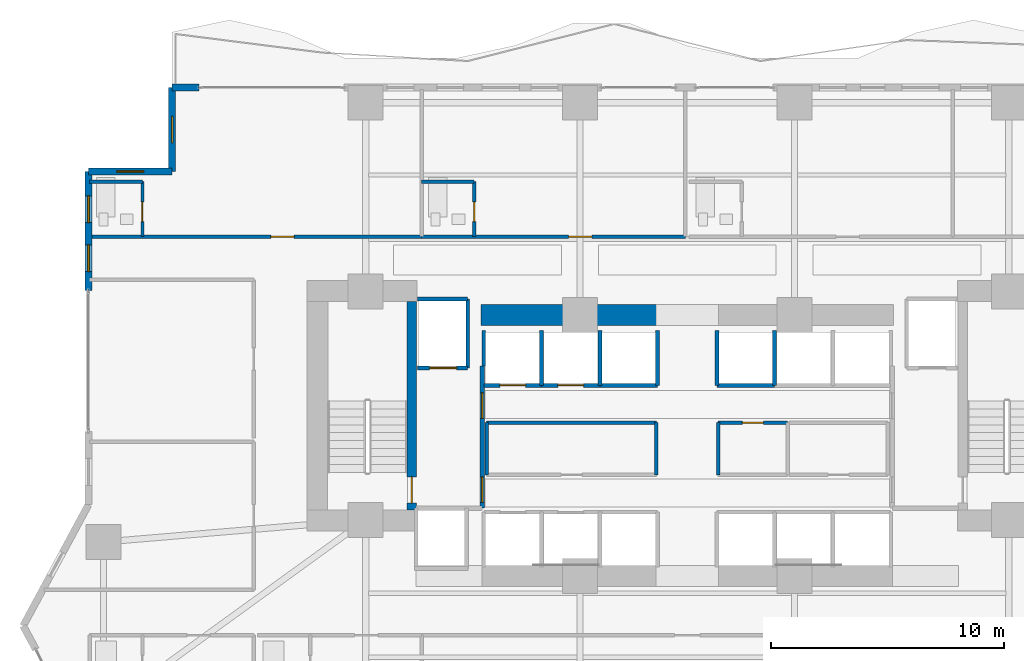
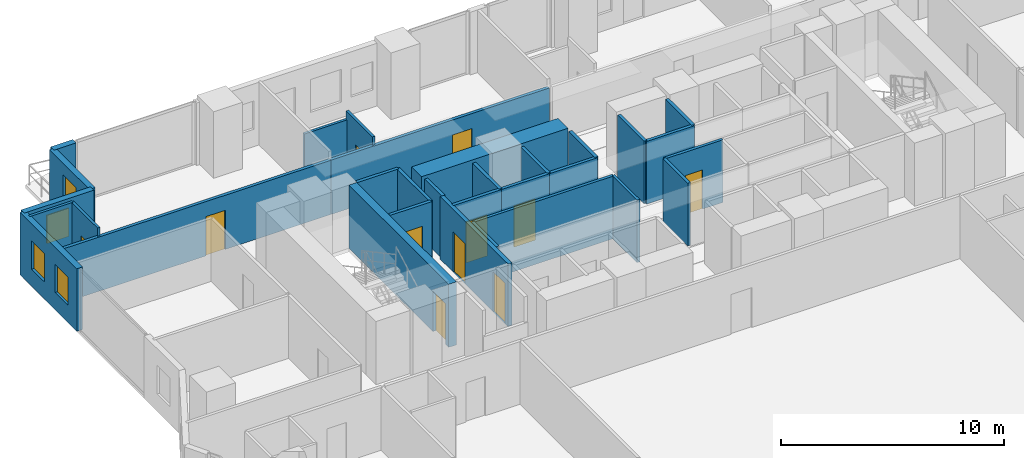
# One storey, part 21 of 28: 31 walls, 11 doors, 4 windows, 15 openings.
"""IFC4 building model written with IfcOpenShell, lengths in metres."""

from ifc_helpers import new_model, si_unit, direction, frame, frame_2d, origin, place, context, subcontext, project, spatial, rectangle, extrude, material, layer, layer_set, type_object, element, fill, save


model = new_model("IFC4")

# Units and contexts
model_context = context("Model", 3, precision=1e-05, world=origin(), true_north=direction((0.0, 1.0)))
body_context = subcontext(model_context, "Body", "Model", "MODEL_VIEW")
ifc_project = project(units=[si_unit("LENGTHUNIT", "METRE"), si_unit("AREAUNIT", "SQUARE_METRE"), si_unit("VOLUMEUNIT", "CUBIC_METRE"), si_unit("PLANEANGLEUNIT", "RADIAN"), si_unit("MASSUNIT", "GRAM", prefix="KILO")], contexts=[model_context])

# Site, building, storey
site_placement = place(None, origin())
site = spatial("IfcSite", under=ifc_project, at=site_placement, CompositionType="ELEMENT")
building_placement = place(site_placement, origin())
building = spatial("IfcBuilding", under=site, at=building_placement, Name="Zuhayl Quay Hotel", CompositionType="ELEMENT")
storey_placement = place(building_placement, frame((0.0, 0.0, 75.050048828125)))
storey = spatial("IfcBuildingStorey", under=building, at=storey_placement, Name="L18", CompositionType="ELEMENT", Elevation=75.050048828125)

# Wall
ifc_material_1 = material(Name="Concrete C70/85", Category="concrete")
ifc_layer_1 = layer(ifc_material_1, 0.89990234375, Name="Concrete C70/85", Category="concrete")
ifc_layer_set_1 = layer_set([ifc_layer_1], Name="Concrete C70/85")
wall_type_1 = type_object("IfcWallType", Name="WL_CORE_900", PredefinedType="SHEAR", material=ifc_layer_set_1)
wall_1_placement = place(storey_placement, frame((-8.85009765625, 13.35009765625, 0.0), z_axis=(0.0, 0.0, 1.0), x_axis=(1.0, 0.0, 0.0)))
element("IfcWall", 1, at=wall_1_placement, inside=storey, type_object=wall_type_1, Name="L18 Core Shear Wall CW_NC_W", PredefinedType="SHEAR", context=body_context, shape_type="SweptSolid", body=[
    extrude(rectangle(XDim=7.60009765625, YDim=0.89990234375, at=frame_2d((3.800048828125, 0.0))), origin(), (0.0, 0.0, 1.0), 3.429931640625),
])

# Wall, openings, windows
ifc_material_2 = material(Name="Precast concrete C45/55", Category="concrete")
ifc_layer_2 = layer(ifc_material_2, 0.300048828125, Name="Precast concrete C45/55", Category="concrete")
ifc_layer_set_2 = layer_set([ifc_layer_2], Name="Precast concrete C45/55")
wall_type_2 = type_object("IfcWallType", Name="WL_EXT_300", PredefinedType="STANDARD", material=ifc_layer_set_2)
wall_2_placement = place(storey_placement, frame((-25.699951171875, 14.39990234375, 0.0), z_axis=(0.0, 0.0, 1.0), x_axis=(0.0, 1.0, 0.0)))
wall_2 = element("IfcWall", 2, at=wall_2_placement, inside=storey, type_object=wall_type_2, Name="L18 Exterior Precast Wall ENV_L18_E05_EW2", PredefinedType="STANDARD", context=body_context, shape_type="SweptSolid", body=[
    extrude(rectangle(XDim=5.10009765625, YDim=0.300048828125, at=frame_2d((2.550048828125, 0.0))), origin(), (0.0, 0.0, 1.0), 3.429931640625),
])
opening_1_placement = place(wall_2_placement, frame((0.800048828125, 0.0, 0.949951171875)))
opening_1 = element("IfcOpeningElement", 3, at=opening_1_placement, cuts=wall_2, Name="Opening W01N", PredefinedType="OPENING", context=body_context, shape_type="SweptSolid", body=[
    extrude(rectangle(XDim=1.14990234375, YDim=1.550048828125, at=frame_2d((0.574951171875, 0.77490234375))), frame((0.0, 0.159912109375, 0.0), z_axis=(0.0, -1.0, 0.0), x_axis=(1.0, 0.0, 0.0)), (0.0, 0.0, 1.0), 0.320068359375),
])
opening_2_placement = place(wall_2_placement, frame((2.905029296875, 0.0, 0.949951171875)))
opening_2 = element("IfcOpeningElement", 4, at=opening_2_placement, cuts=wall_2, Name="Opening W01N", PredefinedType="OPENING", context=body_context, shape_type="SweptSolid", body=[
    extrude(rectangle(XDim=1.14990234375, YDim=1.550048828125, at=frame_2d((0.574951171875, 0.77490234375))), frame((0.0, 0.159912109375, 0.0), z_axis=(0.0, -1.0, 0.0), x_axis=(1.0, 0.0, 0.0)), (0.0, 0.0, 1.0), 0.320068359375),
])
ifc_material_3 = material(Name="Dark Ceramic-Fritted Solar Glass", Category="glass")
window_type = type_object("IfcWindowType", Name="WN_NOTCH_1350", PartitioningType="SINGLE_PANEL", PredefinedType="WINDOW", material=ifc_material_3)
window_1_placement = place(opening_1_placement, origin())
window_1 = element("IfcWindow", 5, at=window_1_placement, inside=storey, type_object=window_type, Name="L18 Operable Facade Window 2-1", OverallHeight=1.550048828125, OverallWidth=1.14990234375, PartitioningType="SINGLE_PANEL", PredefinedType="WINDOW", context=body_context, shape_type="SweptSolid", body=[
    extrude(rectangle(XDim=1.14990234375, YDim=1.550048828125, at=frame_2d((0.574951171875, 0.77490234375))), frame((0.0, 0.030029296875, 0.0), z_axis=(0.0, -1.0, 0.0), x_axis=(1.0, 0.0, 0.0)), (0.0, 0.0, 1.0), 0.06005859375),
])
fill(opening_1, window_1)
window_2_placement = place(opening_2_placement, origin())
window_2 = element("IfcWindow", 6, at=window_2_placement, inside=storey, type_object=window_type, Name="L18 Operable Facade Window 2-2", OverallHeight=1.550048828125, OverallWidth=1.14990234375, PartitioningType="SINGLE_PANEL", PredefinedType="WINDOW", context=body_context, shape_type="SweptSolid", body=[
    extrude(rectangle(XDim=1.14990234375, YDim=1.550048828125, at=frame_2d((0.574951171875, 0.77490234375))), frame((0.0, 0.030029296875, 0.0), z_axis=(0.0, -1.0, 0.0), x_axis=(1.0, 0.0, 0.0)), (0.0, 0.0, 1.0), 0.06005859375),
])
fill(opening_2, window_2)

# Wall, opening, window
wall_3_placement = place(storey_placement, frame((-25.699951171875, 19.5, 0.0), z_axis=(0.0, 0.0, 1.0), x_axis=(1.0, 0.0, 0.0)))
wall_3 = element("IfcWall", 7, at=wall_3_placement, inside=storey, type_object=wall_type_2, Name="L18 Exterior Precast Wall ENV_L18_EW06", PredefinedType="STANDARD", context=body_context, shape_type="SweptSolid", body=[
    extrude(rectangle(XDim=3.599853515625, YDim=0.300048828125, at=frame_2d((1.7998046875, 0.0))), origin(), (0.0, 0.0, 1.0), 3.429931640625),
])
opening_3_placement = place(wall_3_placement, frame((1.22509765625, 0.0, 1.25)))
opening_3 = element("IfcOpeningElement", 8, at=opening_3_placement, cuts=wall_3, Name="Opening W01N", PredefinedType="OPENING", context=body_context, shape_type="SweptSolid", body=[
    extrude(rectangle(XDim=1.14990234375, YDim=1.550048828125, at=frame_2d((0.574951171875, 0.77490234375))), frame((0.0, 0.159912109375, 0.0), z_axis=(0.0, -1.0, 0.0), x_axis=(1.0, 0.0, 0.0)), (0.0, 0.0, 1.0), 0.320068359375),
])
window_3_placement = place(opening_3_placement, origin())
window_3 = element("IfcWindow", 9, at=window_3_placement, inside=storey, type_object=window_type, Name="L18 Corner Notch Window 6", OverallHeight=1.550048828125, OverallWidth=1.14990234375, PartitioningType="SINGLE_PANEL", PredefinedType="WINDOW", context=body_context, shape_type="SweptSolid", body=[
    extrude(rectangle(XDim=1.14990234375, YDim=1.550048828125, at=frame_2d((0.574951171875, 0.77490234375))), frame((0.0, 0.030029296875, 0.0), z_axis=(0.0, -1.0, 0.0), x_axis=(1.0, 0.0, 0.0)), (0.0, 0.0, 1.0), 0.06005859375),
])
fill(opening_3, window_3)

wall_4_placement = place(storey_placement, frame((-22.10009765625, 19.5, 0.0), z_axis=(0.0, 0.0, 1.0), x_axis=(0.0, 1.0, 0.0)))
wall_4 = element("IfcWall", 10, at=wall_4_placement, inside=storey, type_object=wall_type_2, Name="L18 Exterior Precast Wall ENV_L18_EW07", PredefinedType="STANDARD", context=body_context, shape_type="SweptSolid", body=[
    extrude(rectangle(XDim=3.60009765625, YDim=0.300048828125, at=frame_2d((1.800048828125, 0.0))), origin(), (0.0, 0.0, 1.0), 3.429931640625),
])
opening_4_placement = place(wall_4_placement, frame((1.22509765625, 0.0, 1.25)))
opening_4 = element("IfcOpeningElement", 11, at=opening_4_placement, cuts=wall_4, Name="Opening W01N", PredefinedType="OPENING", context=body_context, shape_type="SweptSolid", body=[
    extrude(rectangle(XDim=1.14990234375, YDim=1.550048828125, at=frame_2d((0.574951171875, 0.77490234375))), frame((0.0, 0.159912109375, 0.0), z_axis=(0.0, -1.0, 0.0), x_axis=(1.0, 0.0, 0.0)), (0.0, 0.0, 1.0), 0.320068359375),
])
window_4_placement = place(opening_4_placement, origin())
window_4 = element("IfcWindow", 12, at=window_4_placement, inside=storey, type_object=window_type, Name="L18 Corner Notch Window 7", OverallHeight=1.550048828125, OverallWidth=1.14990234375, PartitioningType="SINGLE_PANEL", PredefinedType="WINDOW", context=body_context, shape_type="SweptSolid", body=[
    extrude(rectangle(XDim=1.14990234375, YDim=1.550048828125, at=frame_2d((0.574951171875, 0.77490234375))), frame((0.0, 0.030029296875, 0.0), z_axis=(0.0, -1.0, 0.0), x_axis=(1.0, 0.0, 0.0)), (0.0, 0.0, 1.0), 0.06005859375),
])
fill(opening_4, window_4)

# Wall
wall_5_placement = place(storey_placement, frame((-22.10009765625, 23.10009765625, 0.0), z_axis=(0.0, 0.0, 1.0), x_axis=(1.0, 0.0, 0.0)))
element("IfcWall", 13, at=wall_5_placement, inside=storey, type_object=wall_type_2, Name="L18 Exterior Precast Wall ENV_L18_N_EW1", PredefinedType="STANDARD", context=body_context, shape_type="SweptSolid", body=[
    extrude(rectangle(XDim=1.150146484375, YDim=0.300048828125, at=frame_2d((0.5751953125, 0.0))), origin(), (0.0, 0.0, 1.0), 3.429931640625),
])

# Wall, opening, door
ifc_material_4 = material(Name="Acoustic Gypsum Partition STC-58")
ifc_layer_3 = layer(ifc_material_4, 0.14990234375, Name="Acoustic Gypsum Partition STC-58")
ifc_layer_set_3 = layer_set([ifc_layer_3], Name="Acoustic Gypsum Partition STC-58")
wall_type_3 = type_object("IfcWallType", Name="WL_PART_150", PredefinedType="PARTITIONING", material=ifc_layer_set_3)
wall_6_placement = place(storey_placement, frame((1.320068359375, 8.719970703125, 0.0), z_axis=(0.0, 0.0, 1.0), x_axis=(1.0, 0.0, 0.0)))
wall_6 = element("IfcWall", 14, at=wall_6_placement, inside=storey, type_object=wall_type_3, Name="L18 Partition IW_L18_CORE_IT_N", PredefinedType="PARTITIONING", context=body_context, shape_type="SweptSolid", body=[
    extrude(rectangle(XDim=2.989990234375, YDim=0.14990234375, at=frame_2d((1.4951171875, 0.0))), origin(), (0.0, 0.0, 1.0), 3.429931640625),
])
opening_5_placement = place(wall_6_placement, frame((1.044921875, 0.0, 0.0)))
opening_5 = element("IfcOpeningElement", 15, at=opening_5_placement, cuts=wall_6, Name="Opening D06", PredefinedType="OPENING", context=body_context, shape_type="SweptSolid", body=[
    extrude(rectangle(XDim=0.89990234375, YDim=2.14990234375, at=frame_2d((0.449951171875, 1.074951171875))), frame((0.0, 0.0849609375, 0.0), z_axis=(0.0, -1.0, 0.0), x_axis=(1.0, 0.0, 0.0)), (0.0, 0.0, 1.0), 0.169921875),
])
ifc_material_5 = material(Name="Steel ASTM A992 Grade 50", Category="steel")
door_type_1 = type_object("IfcDoorType", Name="DR_INT_900", OperationType="NOTDEFINED", PredefinedType="DOOR", material=ifc_material_5)
door_1_placement = place(opening_5_placement, origin())
door_1 = element("IfcDoor", 16, at=door_1_placement, inside=storey, type_object=door_type_1, Name="L18 Telecom Closet Door", OperationType="SINGLE_SWING_RIGHT", OverallHeight=2.14990234375, OverallWidth=0.89990234375, PredefinedType="DOOR", context=body_context, shape_type="SweptSolid", body=[
    extrude(rectangle(XDim=0.89990234375, YDim=2.14990234375, at=frame_2d((0.449951171875, 1.074951171875))), frame((0.0, 0.02490234375, 0.0), z_axis=(0.0, -1.0, 0.0), x_axis=(1.0, 0.0, 0.0)), (0.0, 0.0, 1.0), 0.050048828125),
])
fill(opening_5, door_1)

# Walls
wall_7_placement = place(storey_placement, frame((-8.610107421875, 8.719970703125, 0.0), z_axis=(0.0, 0.0, 1.0), x_axis=(1.0, 0.0, 0.0)))
element("IfcWall", 17, at=wall_7_placement, inside=storey, type_object=wall_type_3, Name="L18 Partition IW_L18_CORE_EL_N", PredefinedType="PARTITIONING", context=body_context, shape_type="SweptSolid", body=[
    extrude(rectangle(XDim=7.2900390625, YDim=0.14990234375, at=frame_2d((3.64501953125, 0.0))), origin(), (0.0, 0.0, 1.0), 3.429931640625),
])
for number, where, z_axis, x_axis, name in (
    (18, (-8.610107421875, 6.47998046875, 0.0), (0.0, 0.0, 1.0), (0.0, 1.0, 0.0), "L18 Partition IW_L18_CORE_EL_W"),
    (19, (-1.320068359375, 6.47998046875, 0.0), (0.0, 0.0, 1.0), (0.0, 1.0, 0.0), "L18 Partition IW_L18_CORE_EL_E"),
    (20, (1.320068359375, 6.47998046875, 0.0), (0.0, 0.0, 1.0), (0.0, 1.0, 0.0), "L18 Partition IW_L18_CORE_IT_W"),
):
    element("IfcWall", number, at=place(storey_placement, frame(where, z_axis=z_axis, x_axis=x_axis)), inside=storey, type_object=wall_type_3, Name=name, PredefinedType="PARTITIONING", context=body_context, shape_type="SweptSolid", body=[
        extrude(rectangle(XDim=2.239990234375, YDim=0.14990234375, at=frame_2d((1.1201171875, 0.0))), origin(), (0.0, 0.0, 1.0), 3.429931640625),
    ])

# Wall, opening, door
ifc_layer_4 = layer(ifc_material_4, 0.159912109375, Name="Acoustic Gypsum Partition STC-58")
ifc_layer_set_4 = layer_set([ifc_layer_4], Name="Acoustic Gypsum Partition STC-58")
wall_type_4 = type_object("IfcWallType", Name="WL_PART_CORR_160", PredefinedType="PARTITIONING", material=ifc_layer_set_4)
wall_8_placement = place(storey_placement, frame((-25.639892578125, 16.699951171875, 0.0), z_axis=(0.0, 0.0, 1.0), x_axis=(1.0, 0.0, 0.0)))
wall_8 = element("IfcWall", 21, at=wall_8_placement, inside=storey, type_object=wall_type_4, Name="L18 Partition IW_L18_NU01_COR", PredefinedType="PARTITIONING", context=body_context, shape_type="SweptSolid", body=[
    extrude(rectangle(XDim=14.239990234375, YDim=0.159912109375, at=frame_2d((7.1201171875, 0.0))), origin(), (0.0, 0.0, 1.0), 2.972900390625),
])
opening_6_placement = place(wall_8_placement, frame((7.77001953125, 0.0, 0.0)))
opening_6 = element("IfcOpeningElement", 22, at=opening_6_placement, cuts=wall_8, Name="Opening D03L", PredefinedType="OPENING", context=body_context, shape_type="SweptSolid", body=[
    extrude(rectangle(XDim=1.0, YDim=2.14990234375, at=frame_2d((0.5, 1.074951171875))), frame((0.0, 0.08984375, 0.0), z_axis=(0.0, -1.0, 0.0), x_axis=(1.0, 0.0, 0.0)), (0.0, 0.0, 1.0), 0.179931640625),
])
ifc_material_6 = material(Name="Solid Walnut Acoustic Fire Door")
door_type_2 = type_object("IfcDoorType", Name="DR_SUITE_1000", OperationType="NOTDEFINED", PredefinedType="DOOR", material=ifc_material_6)
door_2_placement = place(opening_6_placement, origin())
door_2 = element("IfcDoor", 23, at=door_2_placement, inside=storey, type_object=door_type_2, Name="L18 Deluxe Gulf Guest Room L18-01 Entrance Door", OperationType="SINGLE_SWING_LEFT", OverallHeight=2.14990234375, OverallWidth=1.0, PredefinedType="DOOR", context=body_context, shape_type="SweptSolid", body=[
    extrude(rectangle(XDim=1.0, YDim=2.14990234375, at=frame_2d((0.5, 1.074951171875))), frame((0.0, 0.02490234375, 0.0), z_axis=(0.0, -1.0, 0.0), x_axis=(1.0, 0.0, 0.0)), (0.0, 0.0, 1.0), 0.050048828125),
])
fill(opening_6, door_2)

wall_9_placement = place(storey_placement, frame((-11.39990234375, 16.699951171875, 0.0), z_axis=(0.0, 0.0, 1.0), x_axis=(1.0, 0.0, 0.0)))
wall_9 = element("IfcWall", 24, at=wall_9_placement, inside=storey, type_object=wall_type_4, Name="L18 Partition IW_L18_NU02A_COR", PredefinedType="PARTITIONING", context=body_context, shape_type="SweptSolid", body=[
    extrude(rectangle(XDim=11.31982421875, YDim=0.159912109375, at=frame_2d((5.659912109375, 0.0))), origin(), (0.0, 0.0, 1.0), 2.972900390625),
])
opening_7_placement = place(wall_9_placement, frame((6.31005859375, 0.0, 0.0)))
opening_7 = element("IfcOpeningElement", 25, at=opening_7_placement, cuts=wall_9, Name="Opening D03L", PredefinedType="OPENING", context=body_context, shape_type="SweptSolid", body=[
    extrude(rectangle(XDim=1.0, YDim=2.14990234375, at=frame_2d((0.5, 1.074951171875))), frame((0.0, 0.08984375, 0.0), z_axis=(0.0, -1.0, 0.0), x_axis=(1.0, 0.0, 0.0)), (0.0, 0.0, 1.0), 0.179931640625),
])
door_3_placement = place(opening_7_placement, origin())
door_3 = element("IfcDoor", 26, at=door_3_placement, inside=storey, type_object=door_type_2, Name="L18 Deluxe Gulf Guest Room L18-02A Entrance Door", OperationType="SINGLE_SWING_LEFT", OverallHeight=2.14990234375, OverallWidth=1.0, PredefinedType="DOOR", context=body_context, shape_type="SweptSolid", body=[
    extrude(rectangle(XDim=1.0, YDim=2.14990234375, at=frame_2d((0.5, 1.074951171875))), frame((0.0, 0.02490234375, 0.0), z_axis=(0.0, -1.0, 0.0), x_axis=(1.0, 0.0, 0.0)), (0.0, 0.0, 1.0), 0.050048828125),
])
fill(opening_7, door_3)

ifc_material_7 = material(Name="Moisture-Resistant Sanitarychase Gypsum")
ifc_layer_5 = layer(ifc_material_7, 0.135009765625, Name="Moisture-Resistant Sanitarychase Gypsum")
ifc_layer_set_5 = layer_set([ifc_layer_5], Name="Moisture-Resistant Sanitarychase Gypsum")
wall_type_5 = type_object("IfcWallType", Name="WL_PART_PLUMB_150", PredefinedType="PLUMBINGWALL", material=ifc_layer_set_5)
wall_10_placement = place(storey_placement, frame((-23.3798828125, 16.699951171875, 0.0), z_axis=(0.0, 0.0, 1.0), x_axis=(0.0, 1.0, 0.0)))
wall_10 = element("IfcWall", 27, at=wall_10_placement, inside=storey, type_object=wall_type_5, Name="L18 Partition IW_L18_NU01_BE", PredefinedType="PLUMBINGWALL", context=body_context, shape_type="SweptSolid", body=[
    extrude(rectangle(XDim=2.360107421875, YDim=0.135009765625, at=frame_2d((1.18017578125, 0.0))), origin(), (0.0, 0.0, 1.0), 3.429931640625),
])
opening_8_placement = place(wall_10_placement, frame((0.64990234375, 0.0, 0.0)))
opening_8 = element("IfcOpeningElement", 28, at=opening_8_placement, cuts=wall_10, Name="Opening D04", PredefinedType="OPENING", context=body_context, shape_type="SweptSolid", body=[
    extrude(rectangle(XDim=0.85009765625, YDim=2.10009765625, at=frame_2d((0.425048828125, 1.050048828125))), frame((0.0, 0.077392578125, 0.0), z_axis=(0.0, -1.0, 0.0), x_axis=(1.0, 0.0, 0.0)), (0.0, 0.0, 1.0), 0.155029296875),
])
ifc_material_8 = material(Name="Moisture-Resistant Walnut Veneer")
door_type_3 = type_object("IfcDoorType", Name="DR_BATH_850", OperationType="NOTDEFINED", PredefinedType="DOOR", material=ifc_material_8)
door_4_placement = place(opening_8_placement, origin())
door_4 = element("IfcDoor", 29, at=door_4_placement, inside=storey, type_object=door_type_3, Name="L18 Deluxe Gulf Guest Room L18-01 En-Suite Door", OperationType="SINGLE_SWING_RIGHT", OverallHeight=2.10009765625, OverallWidth=0.85009765625, PredefinedType="DOOR", context=body_context, shape_type="SweptSolid", body=[
    extrude(rectangle(XDim=0.85009765625, YDim=2.10009765625, at=frame_2d((0.425048828125, 1.050048828125))), frame((0.0, 0.02490234375, 0.0), z_axis=(0.0, -1.0, 0.0), x_axis=(1.0, 0.0, 0.0)), (0.0, 0.0, 1.0), 0.050048828125),
])
fill(opening_8, door_4)

wall_11_placement = place(storey_placement, frame((-9.139892578125, 16.699951171875, 0.0), z_axis=(0.0, 0.0, 1.0), x_axis=(0.0, 1.0, 0.0)))
wall_11 = element("IfcWall", 30, at=wall_11_placement, inside=storey, type_object=wall_type_5, Name="L18 Partition IW_L18_NU02A_BE", PredefinedType="PLUMBINGWALL", context=body_context, shape_type="SweptSolid", body=[
    extrude(rectangle(XDim=2.360107421875, YDim=0.135009765625, at=frame_2d((1.18017578125, 0.0))), origin(), (0.0, 0.0, 1.0), 3.429931640625),
])
opening_9_placement = place(wall_11_placement, frame((0.64990234375, 0.0, 0.0)))
opening_9 = element("IfcOpeningElement", 31, at=opening_9_placement, cuts=wall_11, Name="Opening D04", PredefinedType="OPENING", context=body_context, shape_type="SweptSolid", body=[
    extrude(rectangle(XDim=0.85009765625, YDim=2.10009765625, at=frame_2d((0.425048828125, 1.050048828125))), frame((0.0, 0.077392578125, 0.0), z_axis=(0.0, -1.0, 0.0), x_axis=(1.0, 0.0, 0.0)), (0.0, 0.0, 1.0), 0.155029296875),
])
door_5_placement = place(opening_9_placement, origin())
door_5 = element("IfcDoor", 32, at=door_5_placement, inside=storey, type_object=door_type_3, Name="L18 Deluxe Gulf Guest Room L18-02A En-Suite Door", OperationType="SINGLE_SWING_RIGHT", OverallHeight=2.10009765625, OverallWidth=0.85009765625, PredefinedType="DOOR", context=body_context, shape_type="SweptSolid", body=[
    extrude(rectangle(XDim=0.85009765625, YDim=2.10009765625, at=frame_2d((0.425048828125, 1.050048828125))), frame((0.0, 0.02490234375, 0.0), z_axis=(0.0, -1.0, 0.0), x_axis=(1.0, 0.0, 0.0)), (0.0, 0.0, 1.0), 0.050048828125),
])
fill(opening_9, door_5)

# Walls
wall_12_placement = place(storey_placement, frame((-25.639892578125, 19.06005859375, 0.0), z_axis=(0.0, 0.0, 1.0), x_axis=(1.0, 0.0, 0.0)))
element("IfcWall", 33, at=wall_12_placement, inside=storey, type_object=wall_type_5, Name="L18 Partition IW_L18_NU01_BN", PredefinedType="PLUMBINGWALL", context=body_context, shape_type="SweptSolid", body=[
    extrude(rectangle(XDim=2.260009765625, YDim=0.135009765625, at=frame_2d((1.1298828125, 0.0))), origin(), (0.0, 0.0, 1.0), 3.429931640625),
])
wall_13_placement = place(storey_placement, frame((-11.39990234375, 19.06005859375, 0.0), z_axis=(0.0, 0.0, 1.0), x_axis=(1.0, 0.0, 0.0)))
element("IfcWall", 34, at=wall_13_placement, inside=storey, type_object=wall_type_5, Name="L18 Partition IW_L18_NU02A_BN", PredefinedType="PLUMBINGWALL", context=body_context, shape_type="SweptSolid", body=[
    extrude(rectangle(XDim=2.260009765625, YDim=0.135009765625, at=frame_2d((1.1298828125, 0.0))), origin(), (0.0, 0.0, 1.0), 2.972900390625),
])

# Wall, opening, door
ifc_material_9 = material(Name="Gypsum Fireboard Assembly EI-90")
ifc_layer_6 = layer(ifc_material_9, 0.1650390625, Name="Gypsum Fireboard Assembly EI-90")
ifc_layer_set_6 = layer_set([ifc_layer_6], Name="Gypsum Fireboard Assembly EI-90")
wall_type_6 = type_object("IfcWallType", Name="WL_PART_SHAFT_160", PredefinedType="PARTITIONING", material=ifc_layer_set_6)
wall_14_placement = place(storey_placement, frame((-11.580078125, 11.070068359375, 0.0), z_axis=(0.0, 0.0, 1.0), x_axis=(1.0, 0.0, 0.0)))
wall_14 = element("IfcWall", 35, at=wall_14_placement, inside=storey, type_object=wall_type_6, Name="L18 Partition IW_L18_SH_FL1_F", PredefinedType="PARTITIONING", context=body_context, shape_type="SweptSolid", body=[
    extrude(rectangle(XDim=2.16015625, YDim=0.1650390625, at=frame_2d((1.080078125, 0.0))), origin(), (0.0, 0.0, 1.0), 3.429931640625),
])
opening_10_placement = place(wall_14_placement, frame((0.530029296875, 0.0, 0.0)))
opening_10 = element("IfcOpeningElement", 36, at=opening_10_placement, cuts=wall_14, Name="Opening LD2", PredefinedType="OPENING", context=body_context, shape_type="SweptSolid", body=[
    extrude(rectangle(XDim=1.14990234375, YDim=2.25, at=frame_2d((0.574951171875, 1.125))), frame((0.0, 0.092529296875, 0.0), z_axis=(0.0, -1.0, 0.0), x_axis=(1.0, 0.0, 0.0)), (0.0, 0.0, 1.0), 0.18505859375),
])
ifc_material_10 = material(Name="Brushed Stainless Steel", Category="steel")
door_type_4 = type_object("IfcDoorType", Name="DR_LIFT_FF_1100", OperationType="SLIDING_TO_LEFT", PredefinedType="DOOR", material=ifc_material_10)
door_6_placement = place(opening_10_placement, origin())
door_6 = element("IfcDoor", 37, at=door_6_placement, inside=storey, type_object=door_type_4, Name="L18 Lift FL1 Sliding Landing Door", OperationType="SLIDING_TO_LEFT", OverallHeight=2.25, OverallWidth=1.14990234375, PredefinedType="DOOR", context=body_context, shape_type="SweptSolid", body=[
    extrude(rectangle(XDim=1.14990234375, YDim=2.25, at=frame_2d((0.574951171875, 1.125))), frame((0.0, 0.02490234375, 0.0), z_axis=(0.0, -1.0, 0.0), x_axis=(1.0, 0.0, 0.0)), (0.0, 0.0, 1.0), 0.050048828125),
])
fill(opening_10, door_6)

wall_15_placement = place(storey_placement, frame((-8.72998046875, 10.320068359375, 0.0), z_axis=(0.0, 0.0, 1.0), x_axis=(1.0, 0.0, 0.0)))
wall_15 = element("IfcWall", 38, at=wall_15_placement, inside=storey, type_object=wall_type_6, Name="L18 Partition IW_L18_SH_LP3_F", PredefinedType="PARTITIONING", context=body_context, shape_type="SweptSolid", body=[
    extrude(rectangle(XDim=2.47998046875, YDim=0.1650390625, at=frame_2d((1.239990234375, 0.0))), origin(), (0.0, 0.0, 1.0), 3.429931640625),
])
opening_11_placement = place(wall_15_placement, frame((0.68994140625, 0.0, 0.0)))
opening_11 = element("IfcOpeningElement", 39, at=opening_11_placement, cuts=wall_15, Name="Opening LD1", PredefinedType="OPENING", context=body_context, shape_type="SweptSolid", body=[
    extrude(rectangle(XDim=1.10009765625, YDim=2.25, at=frame_2d((0.550048828125, 1.125))), frame((0.0, 0.092529296875, 0.0), z_axis=(0.0, -1.0, 0.0), x_axis=(1.0, 0.0, 0.0)), (0.0, 0.0, 1.0), 0.18505859375),
])
door_type_5 = type_object("IfcDoorType", Name="DR_LIFT_PASS_1100", OperationType="SLIDING_TO_LEFT", PredefinedType="DOOR", material=ifc_material_10)
door_7_placement = place(opening_11_placement, origin())
door_7 = element("IfcDoor", 40, at=door_7_placement, inside=storey, type_object=door_type_5, Name="L18 Lift LP3 Sliding Landing Door", OperationType="SLIDING_TO_LEFT", OverallHeight=2.25, OverallWidth=1.10009765625, PredefinedType="DOOR", context=body_context, shape_type="SweptSolid", body=[
    extrude(rectangle(XDim=1.10009765625, YDim=2.25, at=frame_2d((0.550048828125, 1.125))), frame((0.0, 0.02490234375, 0.0), z_axis=(0.0, -1.0, 0.0), x_axis=(1.0, 0.0, 0.0)), (0.0, 0.0, 1.0), 0.050048828125),
])
fill(opening_11, door_7)

wall_16_placement = place(storey_placement, frame((-6.25, 10.320068359375, 0.0), z_axis=(0.0, 0.0, 1.0), x_axis=(1.0, 0.0, 0.0)))
wall_16 = element("IfcWall", 41, at=wall_16_placement, inside=storey, type_object=wall_type_6, Name="L18 Partition IW_L18_SH_LP4_F", PredefinedType="PARTITIONING", context=body_context, shape_type="SweptSolid", body=[
    extrude(rectangle(XDim=2.5, YDim=0.1650390625, at=frame_2d((1.25, 0.0))), origin(), (0.0, 0.0, 1.0), 3.429931640625),
])
opening_12_placement = place(wall_16_placement, frame((0.699951171875, 0.0, 0.0)))
opening_12 = element("IfcOpeningElement", 42, at=opening_12_placement, cuts=wall_16, Name="Opening LD1", PredefinedType="OPENING", context=body_context, shape_type="SweptSolid", body=[
    extrude(rectangle(XDim=1.10009765625, YDim=2.25, at=frame_2d((0.550048828125, 1.125))), frame((0.0, 0.092529296875, 0.0), z_axis=(0.0, -1.0, 0.0), x_axis=(1.0, 0.0, 0.0)), (0.0, 0.0, 1.0), 0.18505859375),
])
door_8_placement = place(opening_12_placement, origin())
door_8 = element("IfcDoor", 43, at=door_8_placement, inside=storey, type_object=door_type_5, Name="L18 Lift LP4 Sliding Landing Door", OperationType="SLIDING_TO_LEFT", OverallHeight=2.25, OverallWidth=1.10009765625, PredefinedType="DOOR", context=body_context, shape_type="SweptSolid", body=[
    extrude(rectangle(XDim=1.10009765625, YDim=2.25, at=frame_2d((0.550048828125, 1.125))), frame((0.0, 0.02490234375, 0.0), z_axis=(0.0, -1.0, 0.0), x_axis=(1.0, 0.0, 0.0)), (0.0, 0.0, 1.0), 0.050048828125),
])
fill(opening_12, door_8)

# Walls
wall_17_placement = place(storey_placement, frame((-9.419921875, 11.070068359375, 0.0), z_axis=(0.0, 0.0, 1.0), x_axis=(0.0, 1.0, 0.0)))
element("IfcWall", 44, at=wall_17_placement, inside=storey, type_object=wall_type_6, Name="L18 Partition IW_L18_SH_FL1_E", PredefinedType="PARTITIONING", context=body_context, shape_type="SweptSolid", body=[
    extrude(rectangle(XDim=2.9599609375, YDim=0.1650390625, at=frame_2d((1.47998046875, 0.0))), origin(), (0.0, 0.0, 1.0), 3.429931640625),
])
wall_18_placement = place(storey_placement, frame((-11.580078125, 14.030029296875, 0.0), z_axis=(0.0, 0.0, 1.0), x_axis=(1.0, 0.0, 0.0)))
element("IfcWall", 45, at=wall_18_placement, inside=storey, type_object=wall_type_6, Name="L18 Partition IW_L18_SH_FL1_B", PredefinedType="PARTITIONING", context=body_context, shape_type="SweptSolid", body=[
    extrude(rectangle(XDim=2.16015625, YDim=0.1650390625, at=frame_2d((1.080078125, 0.0))), origin(), (0.0, 0.0, 1.0), 3.429931640625),
])
wall_19_placement = place(storey_placement, frame((-8.72998046875, 11.14990234375, 0.0), z_axis=(0.0, 0.0, 1.0), x_axis=(0.0, 1.0, 0.0)))
element("IfcWall", 46, at=wall_19_placement, inside=storey, type_object=wall_type_6, Name="L18 Partition IW_L18_SH_LP3_W", PredefinedType="PARTITIONING", context=body_context, shape_type="SweptSolid", body=[
    extrude(rectangle(XDim=1.530029296875, YDim=0.1650390625, at=frame_2d((0.76513671875, 0.0))), origin(), (0.0, 0.0, 1.0), 3.429931640625),
])
for number, where, z_axis, x_axis, name in (
    (47, (-6.25, 10.320068359375, 0.0), (0.0, 0.0, 1.0), (0.0, 1.0, 0.0), "L18 Partition IW_L18_SH_LP3_E"),
    (48, (-3.75, 10.320068359375, 0.0), (0.0, 0.0, 1.0), (0.0, 1.0, 0.0), "L18 Partition IW_L18_SH_LP4_E"),
):
    element("IfcWall", number, at=place(storey_placement, frame(where, z_axis=z_axis, x_axis=x_axis)), inside=storey, type_object=wall_type_6, Name=name, PredefinedType="PARTITIONING", context=body_context, shape_type="SweptSolid", body=[
        extrude(rectangle(XDim=2.35986328125, YDim=0.1650390625, at=frame_2d((1.179931640625, 0.0))), origin(), (0.0, 0.0, 1.0), 3.429931640625),
    ])
wall_20_placement = place(storey_placement, frame((-3.75, 10.320068359375, 0.0), z_axis=(0.0, 0.0, 1.0), x_axis=(1.0, 0.0, 0.0)))
element("IfcWall", 49, at=wall_20_placement, inside=storey, type_object=wall_type_6, Name="L18 Partition IW_L18_SH_MP3_F", PredefinedType="PARTITIONING", context=body_context, shape_type="SweptSolid", body=[
    extrude(rectangle(XDim=2.47998046875, YDim=0.1650390625, at=frame_2d((1.239990234375, 0.0))), origin(), (0.0, 0.0, 1.0), 3.429931640625),
])
wall_21_placement = place(storey_placement, frame((-1.27001953125, 10.320068359375, 0.0), z_axis=(0.0, 0.0, 1.0), x_axis=(0.0, 1.0, 0.0)))
element("IfcWall", 50, at=wall_21_placement, inside=storey, type_object=wall_type_6, Name="L18 Partition IW_L18_SH_MP3_E", PredefinedType="PARTITIONING", context=body_context, shape_type="SweptSolid", body=[
    extrude(rectangle(XDim=2.35986328125, YDim=0.1650390625, at=frame_2d((1.179931640625, 0.0))), origin(), (0.0, 0.0, 1.0), 3.429931640625),
])
wall_22_placement = place(storey_placement, frame((1.27001953125, 10.320068359375, 0.0), z_axis=(0.0, 0.0, 1.0), x_axis=(1.0, 0.0, 0.0)))
element("IfcWall", 51, at=wall_22_placement, inside=storey, type_object=wall_type_6, Name="L18 Partition IW_L18_SH_MP4_F", PredefinedType="PARTITIONING", context=body_context, shape_type="SweptSolid", body=[
    extrude(rectangle(XDim=2.47998046875, YDim=0.1650390625, at=frame_2d((1.239990234375, 0.0))), origin(), (0.0, 0.0, 1.0), 3.429931640625),
])
for number, where, z_axis, x_axis, name in (
    (52, (1.27001953125, 10.320068359375, 0.0), (0.0, 0.0, 1.0), (0.0, 1.0, 0.0), "L18 Partition IW_L18_SH_MP4_W"),
    (53, (3.75, 10.320068359375, 0.0), (0.0, 0.0, 1.0), (0.0, 1.0, 0.0), "L18 Partition IW_L18_SH_MP4_E"),
):
    element("IfcWall", number, at=place(storey_placement, frame(where, z_axis=z_axis, x_axis=x_axis)), inside=storey, type_object=wall_type_6, Name=name, PredefinedType="PARTITIONING", context=body_context, shape_type="SweptSolid", body=[
        extrude(rectangle(XDim=2.35986328125, YDim=0.1650390625, at=frame_2d((1.179931640625, 0.0))), origin(), (0.0, 0.0, 1.0), 3.429931640625),
    ])

# Wall, openings, doors
ifc_material_11 = material(Name="Gypsum Fireboard Assembly EI-120")
ifc_layer_7 = layer(ifc_material_11, 0.199951171875, Name="Gypsum Fireboard Assembly EI-120")
ifc_layer_set_7 = layer_set([ifc_layer_7], Name="Gypsum Fireboard Assembly EI-120")
wall_type_7 = type_object("IfcWallType", Name="WL_PART_SHAFT_200", PredefinedType="PARTITIONING", material=ifc_layer_set_7)
wall_23_placement = place(storey_placement, frame((-8.800048828125, 5.050048828125, 0.0), z_axis=(0.0, 0.0, 1.0), x_axis=(0.0, 1.0, 0.0)))
wall_23 = element("IfcWall", 54, at=wall_23_placement, inside=storey, type_object=wall_type_7, Name="L18 Partition IW_L18_FSAE_W_E", PredefinedType="PARTITIONING", context=body_context, shape_type="SweptSolid", body=[
    extrude(rectangle(XDim=6.099853515625, YDim=0.199951171875, at=frame_2d((3.0498046875, 0.0))), origin(), (0.0, 0.0, 1.0), 3.429931640625),
])
opening_13_placement = place(wall_23_placement, frame((0.25, 0.0, 0.0)))
opening_13 = element("IfcOpeningElement", 55, at=opening_13_placement, cuts=wall_23, Name="Opening D02", PredefinedType="OPENING", context=body_context, shape_type="SweptSolid", body=[
    extrude(rectangle(XDim=1.10009765625, YDim=2.199951171875, at=frame_2d((0.550048828125, 1.10009765625))), frame((0.0, 0.10986328125, 0.0), z_axis=(0.0, -1.0, 0.0), x_axis=(1.0, 0.0, 0.0)), (0.0, 0.0, 1.0), 0.219970703125),
])
opening_14_placement = place(wall_23_placement, frame((3.85009765625, 0.0, 0.0)))
opening_14 = element("IfcOpeningElement", 56, at=opening_14_placement, cuts=wall_23, Name="Opening D02", PredefinedType="OPENING", context=body_context, shape_type="SweptSolid", body=[
    extrude(rectangle(XDim=1.10009765625, YDim=2.199951171875, at=frame_2d((0.550048828125, 1.10009765625))), frame((0.0, 0.10986328125, 0.0), z_axis=(0.0, -1.0, 0.0), x_axis=(1.0, 0.0, 0.0)), (0.0, 0.0, 1.0), 0.219970703125),
])
door_type_6 = type_object("IfcDoorType", Name="DR_FIRE_90_1100", OperationType="NOTDEFINED", PredefinedType="DOOR", material=ifc_material_5)
door_9_placement = place(opening_13_placement, origin())
door_9 = element("IfcDoor", 57, at=door_9_placement, inside=storey, type_object=door_type_6, Name="L18 FSAE Lobby West South Entry Door", OperationType="SINGLE_SWING_LEFT", OverallHeight=2.199951171875, OverallWidth=1.10009765625, PredefinedType="DOOR", context=body_context, shape_type="SweptSolid", body=[
    extrude(rectangle(XDim=1.10009765625, YDim=2.199951171875, at=frame_2d((0.550048828125, 1.10009765625))), frame((0.0, 0.02490234375, 0.0), z_axis=(0.0, -1.0, 0.0), x_axis=(1.0, 0.0, 0.0)), (0.0, 0.0, 1.0), 0.050048828125),
])
fill(opening_13, door_9)
door_10_placement = place(opening_14_placement, origin())
door_10 = element("IfcDoor", 58, at=door_10_placement, inside=storey, type_object=door_type_6, Name="L18 FSAE Lobby West North Entry Door", OperationType="SINGLE_SWING_RIGHT", OverallHeight=2.199951171875, OverallWidth=1.10009765625, PredefinedType="DOOR", context=body_context, shape_type="SweptSolid", body=[
    extrude(rectangle(XDim=1.10009765625, YDim=2.199951171875, at=frame_2d((0.550048828125, 1.10009765625))), frame((0.0, 0.02490234375, 0.0), z_axis=(0.0, -1.0, 0.0), x_axis=(1.0, 0.0, 0.0)), (0.0, 0.0, 1.0), 0.050048828125),
])
fill(opening_14, door_10)

# Wall, opening, door
ifc_material_12 = material(Name="Concrete C60/75", Category="concrete")
ifc_layer_8 = layer(ifc_material_12, 0.39990234375, Name="Concrete C60/75", Category="concrete")
ifc_layer_set_8 = layer_set([ifc_layer_8], Name="Concrete C60/75")
wall_type_8 = type_object("IfcWallType", Name="WL_STAIR_400", PredefinedType="SHEAR", material=ifc_layer_set_8)
wall_24_placement = place(storey_placement, frame((-11.820068359375, 4.969970703125, 0.0), z_axis=(0.0, 0.0, 1.0), x_axis=(0.0, 1.0, 0.0)))
wall_24 = element("IfcWall", 59, at=wall_24_placement, inside=storey, type_object=wall_type_8, Name="L18 Core Shear Wall SW_ST1", PredefinedType="SHEAR", context=body_context, shape_type="SweptSolid", body=[
    extrude(rectangle(XDim=8.9599609375, YDim=0.39990234375, at=frame_2d((4.47998046875, 0.0))), origin(), (0.0, 0.0, 1.0), 3.4599609375),
])
opening_15_placement = place(wall_24_placement, frame((0.31005859375, 0.0, 0.0)))
opening_15 = element("IfcOpeningElement", 60, at=opening_15_placement, cuts=wall_24, Name="Opening D01", PredefinedType="OPENING", context=body_context, shape_type="SweptSolid", body=[
    extrude(rectangle(XDim=1.1201171875, YDim=2.219970703125, at=frame_2d((0.56005859375, 1.10986328125))), frame((0.0, 0.2099609375, 0.0), z_axis=(0.0, -1.0, 0.0), x_axis=(1.0, 0.0, 0.0)), (0.0, 0.0, 1.0), 0.419921875),
])
door_type_7 = type_object("IfcDoorType", Name="DR_STAIR_90_1100", OperationType="NOTDEFINED", PredefinedType="DOOR", material=ifc_material_5)
door_11_placement = place(opening_15_placement, origin())
door_11 = element("IfcDoor", 61, at=door_11_placement, inside=storey, type_object=door_type_7, Name="L18 Smokeproof Exit Stair ST1 Door", OperationType="SINGLE_SWING_LEFT", OverallHeight=2.219970703125, OverallWidth=1.1201171875, PredefinedType="DOOR", context=body_context, shape_type="SweptSolid", body=[
    extrude(rectangle(XDim=1.1201171875, YDim=2.219970703125, at=frame_2d((0.56005859375, 1.10986328125))), frame((0.0, 0.02490234375, 0.0), z_axis=(0.0, -1.0, 0.0), x_axis=(1.0, 0.0, 0.0)), (0.0, 0.0, 1.0), 0.050048828125),
])
fill(opening_15, door_11)

save(model, "model.ifc")
